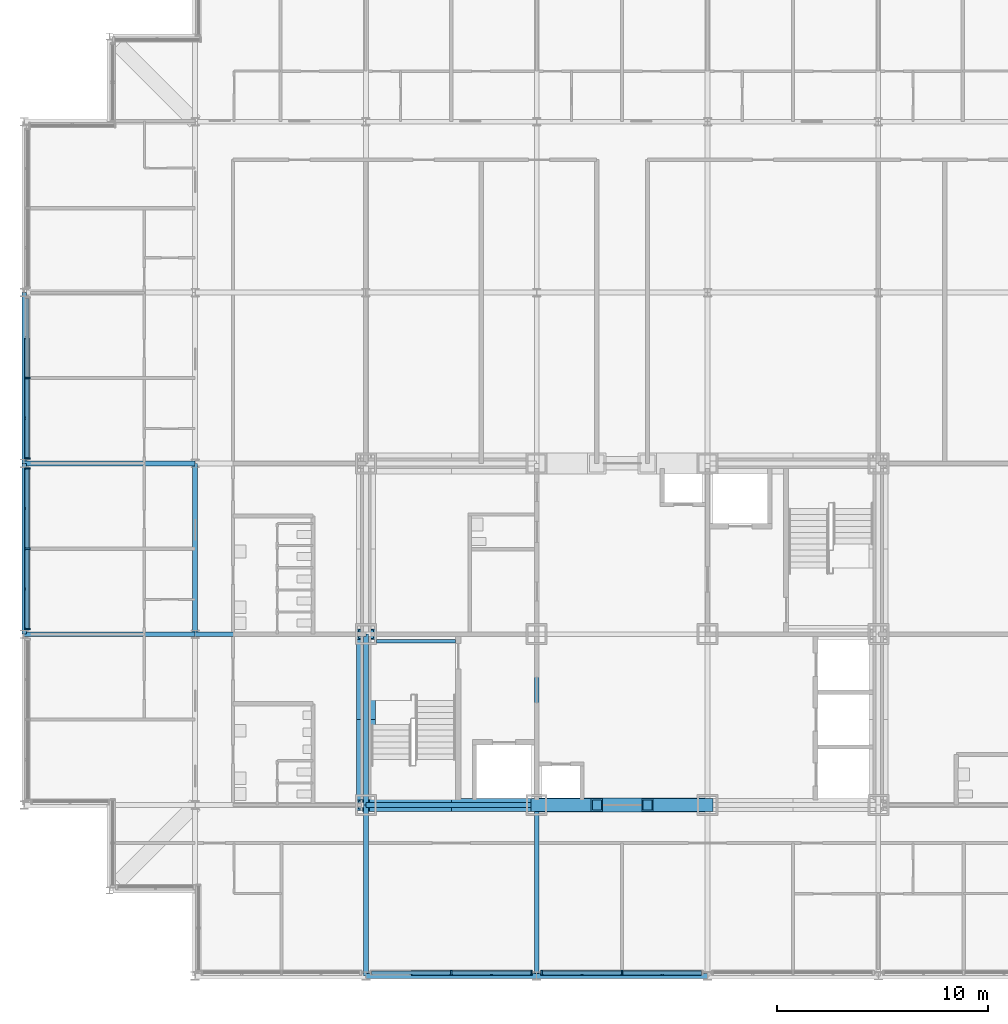
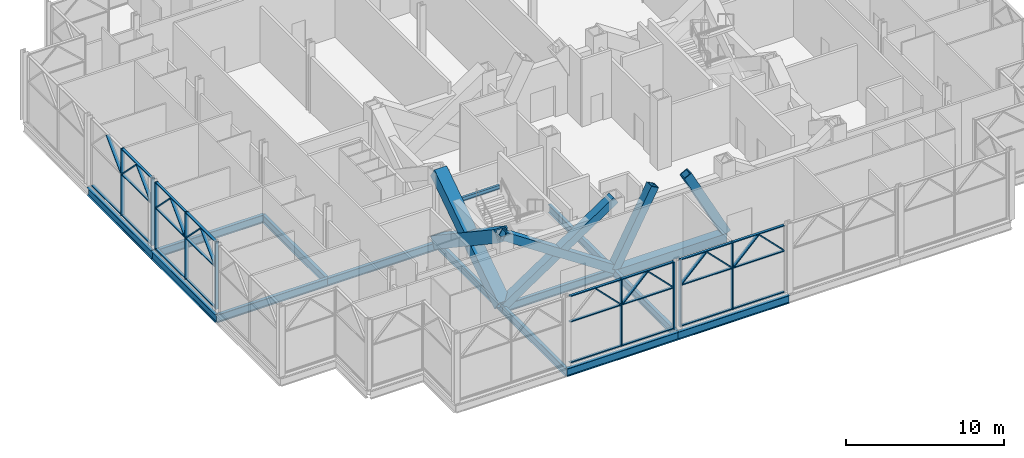
# One storey, part 6 of 26: 51 members, 15 beams, 4 elements without a shape of their own.
"""IFC4 building model written with IfcOpenShell, lengths in metres."""

from ifc_helpers import new_model, si_unit, direction, frame, origin, origin_2d, place, context, subcontext, project, spatial, rectangle, hollow_rectangle, i_section, extrude, material, material_profile, profile_set, type_object, element, aggregate, save


model = new_model("IFC4")

# Units and contexts
model_context = context("Model", 3, precision=1e-05, world=origin(), true_north=direction((0.0, 1.0)))
body_context = subcontext(model_context, "Body", "Model", "MODEL_VIEW")
ifc_project = project(units=[si_unit("LENGTHUNIT", "METRE"), si_unit("AREAUNIT", "SQUARE_METRE"), si_unit("VOLUMEUNIT", "CUBIC_METRE"), si_unit("PLANEANGLEUNIT", "RADIAN"), si_unit("MASSUNIT", "GRAM", prefix="KILO")], contexts=[model_context])

# Site, building, storey
site_placement = place(None, origin())
site = spatial("IfcSite", under=ifc_project, at=site_placement, CompositionType="ELEMENT")
building_placement = place(site_placement, origin())
building = spatial("IfcBuilding", under=site, at=building_placement, Name="Kopane Lantern Tower", CompositionType="ELEMENT")
storey_placement = place(building_placement, frame((0.0, 0.0, 293.10009765625)))
storey = spatial("IfcBuildingStorey", under=building, at=storey_placement, Name="L75", CompositionType="ELEMENT", Elevation=293.10009765625)

# Members
ifc_material_1 = material(Name="Steel S355JR", Category="steel")
ifc_material_profile_1 = material_profile(ifc_material_1, hollow_rectangle(XDim=0.60009765625, YDim=0.60009765625, WallThickness=0.06005859375, at=origin_2d()), Name="BOX 600x600x60")
ifc_profile_set_1 = profile_set([ifc_material_profile_1], Name="Steel S355JR")
member_type_1 = type_object("IfcMemberType", Name="BRACE BOX 600x600x60", PredefinedType="BRACE", material=ifc_profile_set_1)
for number, where, z_axis, x_axis, name in (
    (1, (16.199951171875, 24.300048828125, -0.210205078125), (0.832046436124, 0.0, 0.554705983502), (0.0, 1.0, 0.0), "Core brace L75"),
    (2, (24.300048828125, 24.300048828125, -0.210205078125), (-0.832046436124, 0.0, 0.554705983502), (0.0, -1.0, 0.0), "Core brace L75"),
):
    element("IfcMember", number, at=place(storey_placement, frame(where, z_axis=z_axis, x_axis=x_axis)), inside=storey, type_object=member_type_1, Name=name, PredefinedType="BRACE", context=body_context, shape_type="SweptSolid", body=[
        extrude(hollow_rectangle(XDim=0.60009765625, YDim=0.60009765625, WallThickness=0.06005859375, at=origin_2d()), origin(), (0.0, 0.0, 1.0), 9.735107421875),
    ])
for number, where, z_axis, x_axis, name in (
    (3, (24.300048828125, 24.300048828125, -0.210205078125), (0.466729952651, 0.0, 0.884399882009), (0.0, 1.0, 0.0), "Core brace L75"),
    (4, (32.39990234375, 24.300048828125, -0.210205078125), (-0.466729952651, 0.0, 0.884399882009), (0.0, -1.0, 0.0), "Core brace L75"),
):
    element("IfcMember", number, at=place(storey_placement, frame(where, z_axis=z_axis, x_axis=x_axis)), inside=storey, type_object=member_type_1, Name=name, PredefinedType="BRACE", context=body_context, shape_type="SweptSolid", body=[
        extrude(hollow_rectangle(XDim=0.60009765625, YDim=0.60009765625, WallThickness=0.06005859375, at=origin_2d()), origin(), (0.0, 0.0, 1.0), 6.10595703125),
    ])
ifc_material_2 = material(Name="Steel S355JR", Category="steel")
ifc_material_profile_2 = material_profile(ifc_material_2, hollow_rectangle(XDim=0.89990234375, YDim=0.89990234375, WallThickness=0.090087890625, at=origin_2d()), Name="BOX 900x900x90")
ifc_profile_set_2 = profile_set([ifc_material_profile_2], Name="Steel S355JR")
member_type_2 = type_object("IfcMemberType", Name="BRACE BOX 900x900x90", PredefinedType="BRACE", material=ifc_profile_set_2)
for number, where, z_axis, x_axis, name in (
    (5, (16.199951171875, 24.300048828125, -0.210205078125), (0.0, 0.832038719335, 0.554717558338), (-1.0, 0.0, 0.0), "Core brace L75"),
    (6, (16.199951171875, 32.39990234375, -0.210205078125), (0.0, -0.832038719335, 0.554717558338), (1.0, 0.0, 0.0), "Core brace L75"),
):
    element("IfcMember", number, at=place(storey_placement, frame(where, z_axis=z_axis, x_axis=x_axis)), inside=storey, type_object=member_type_2, Name=name, PredefinedType="BRACE", context=body_context, shape_type="SweptSolid", body=[
        extrude(hollow_rectangle(XDim=0.89990234375, YDim=0.89990234375, WallThickness=0.090087890625, at=origin_2d()), origin(), (0.0, 0.0, 1.0), 9.73486328125),
    ])

# Beams
ifc_material_3 = material(Name="Steel S355JR", Category="steel")
ifc_material_profile_3 = material_profile(ifc_material_3, i_section(OverallWidth=0.22900390625, OverallDepth=0.6123046875, WebThickness=0.011962890625, FlangeThickness=0.01953125, FilletRadius=0.0126953125, at=origin_2d()), Name="UB 610x229x125")
ifc_profile_set_3 = profile_set([ifc_material_profile_3], Name="Steel S355JR")
beam_type_1 = type_object("IfcBeamType", Name="CORE BEAM UB 610x229x125", PredefinedType="BEAM", material=ifc_profile_set_3)
beam_1_placement = place(storey_placement, frame((24.300048828125, 24.300048828125, -0.51611328125), z_axis=(0.0, 1.0, 0.0), x_axis=(-1.0, 0.0, 0.0)))
element("IfcBeam", 7, at=beam_1_placement, inside=storey, type_object=beam_type_1, Name="Core Beam L75", PredefinedType="BEAM", context=body_context, shape_type="SweptSolid", body=[
    extrude(i_section(OverallWidth=0.22900390625, OverallDepth=0.6123046875, WebThickness=0.011962890625, FlangeThickness=0.01953125, FilletRadius=0.0126953125, at=origin_2d()), origin(), (0.0, 0.0, 1.0), 8.099853515625),
])
ifc_material_4 = material(Name="Steel S355JR", Category="steel")
ifc_material_profile_4 = material_profile(ifc_material_4, i_section(OverallWidth=0.22900390625, OverallDepth=0.6123046875, WebThickness=0.011962890625, FlangeThickness=0.01953125, FilletRadius=0.0126953125, at=origin_2d()), Name="UB 610x229x125")
ifc_profile_set_4 = profile_set([ifc_material_profile_4], Name="Steel S355JR")
beam_type_2 = type_object("IfcBeamType", Name="GIRDER UB 610x229x125", PredefinedType="BEAM", material=ifc_profile_set_4)
for number, where, z_axis, x_axis, name in (
    (8, (0.0, 32.39990234375, -0.51611328125), (0.0, 1.0, 0.0), (-1.0, 0.0, 0.0), "Girder L75"),
    (9, (0.0, 32.39990234375, -0.51611328125), (1.0, 0.0, 0.0), (0.0, 1.0, 0.0), "Girder L75"),
    (10, (0.0, 40.5, -0.51611328125), (0.0, 1.0, 0.0), (-1.0, 0.0, 0.0), "Girder L75"),
    (11, (0.0, 40.5, -0.51611328125), (1.0, 0.0, 0.0), (0.0, 1.0, 0.0), "Girder L75"),
    (12, (8.10009765625, 32.39990234375, -0.51611328125), (0.0, 1.0, 0.0), (-1.0, 0.0, 0.0), "Girder L75"),
):
    element("IfcBeam", number, at=place(storey_placement, frame(where, z_axis=z_axis, x_axis=x_axis)), inside=storey, type_object=beam_type_2, Name=name, PredefinedType="BEAM", context=body_context, shape_type="SweptSolid", body=[
        extrude(i_section(OverallWidth=0.22900390625, OverallDepth=0.6123046875, WebThickness=0.011962890625, FlangeThickness=0.01953125, FilletRadius=0.0126953125, at=origin_2d()), origin(), (0.0, 0.0, 1.0), 8.10009765625),
    ])
beam_2_placement = place(storey_placement, frame((8.10009765625, 32.39990234375, -0.51611328125), z_axis=(1.0, 0.0, 0.0), x_axis=(0.0, 1.0, 0.0)))
element("IfcBeam", 13, at=beam_2_placement, inside=storey, type_object=beam_type_2, Name="Girder L75", PredefinedType="BEAM", context=body_context, shape_type="SweptSolid", body=[
    extrude(i_section(OverallWidth=0.22900390625, OverallDepth=0.6123046875, WebThickness=0.011962890625, FlangeThickness=0.01953125, FilletRadius=0.0126953125, at=origin_2d()), origin(), (0.0, 0.0, 1.0), 8.099853515625),
])
for number, where, z_axis, x_axis, name in (
    (14, (16.199951171875, 16.199951171875, -0.51611328125), (0.0, 1.0, 0.0), (-1.0, 0.0, 0.0), "Girder L75"),
    (15, (16.199951171875, 16.199951171875, -0.51611328125), (1.0, 0.0, 0.0), (0.0, 1.0, 0.0), "Girder L75"),
):
    element("IfcBeam", number, at=place(storey_placement, frame(where, z_axis=z_axis, x_axis=x_axis)), inside=storey, type_object=beam_type_2, Name=name, PredefinedType="BEAM", context=body_context, shape_type="SweptSolid", body=[
        extrude(i_section(OverallWidth=0.22900390625, OverallDepth=0.6123046875, WebThickness=0.011962890625, FlangeThickness=0.01953125, FilletRadius=0.0126953125, at=origin_2d()), origin(), (0.0, 0.0, 1.0), 8.10009765625),
    ])
beam_3_placement = place(storey_placement, frame((16.199951171875, 24.300048828125, -0.51611328125), z_axis=(0.0, 1.0, 0.0), x_axis=(-1.0, 0.0, 0.0)))
element("IfcBeam", 16, at=beam_3_placement, inside=storey, type_object=beam_type_2, Name="Girder L75", PredefinedType="BEAM", context=body_context, shape_type="SweptSolid", body=[
    extrude(i_section(OverallWidth=0.22900390625, OverallDepth=0.6123046875, WebThickness=0.011962890625, FlangeThickness=0.01953125, FilletRadius=0.0126953125, at=origin_2d()), origin(), (0.0, 0.0, 1.0), 8.099853515625),
])
for number, where, z_axis, x_axis, name in (
    (17, (16.199951171875, 24.300048828125, -0.51611328125), (1.0, 0.0, 0.0), (0.0, 1.0, 0.0), "Girder L75"),
    (18, (24.300048828125, 16.199951171875, -0.51611328125), (0.0, 1.0, 0.0), (-1.0, 0.0, 0.0), "Girder L75"),
):
    element("IfcBeam", number, at=place(storey_placement, frame(where, z_axis=z_axis, x_axis=x_axis)), inside=storey, type_object=beam_type_2, Name=name, PredefinedType="BEAM", context=body_context, shape_type="SweptSolid", body=[
        extrude(i_section(OverallWidth=0.22900390625, OverallDepth=0.6123046875, WebThickness=0.011962890625, FlangeThickness=0.01953125, FilletRadius=0.0126953125, at=origin_2d()), origin(), (0.0, 0.0, 1.0), 8.10009765625),
    ])
beam_4_placement = place(storey_placement, frame((24.300048828125, 16.199951171875, -0.51611328125), z_axis=(1.0, 0.0, 0.0), x_axis=(0.0, 1.0, 0.0)))
element("IfcBeam", 19, at=beam_4_placement, inside=storey, type_object=beam_type_2, Name="Girder L75", PredefinedType="BEAM", context=body_context, shape_type="SweptSolid", body=[
    extrude(i_section(OverallWidth=0.22900390625, OverallDepth=0.6123046875, WebThickness=0.011962890625, FlangeThickness=0.01953125, FilletRadius=0.0126953125, at=origin_2d()), origin(), (0.0, 0.0, 1.0), 8.099853515625),
])
ifc_material_5 = material(Name="Steel S355JR", Category="steel")
ifc_material_profile_5 = material_profile(ifc_material_5, hollow_rectangle(XDim=0.64990234375, YDim=0.64990234375, WallThickness=0.070068359375, at=origin_2d()), Name="BOX 650x650x70")
ifc_profile_set_5 = profile_set([ifc_material_profile_5], Name="Steel S355JR")
beam_type_3 = type_object("IfcBeamType", Name="LINK BEAM BOX 650x650x70", PredefinedType="BEAM", material=ifc_profile_set_5)
beam_5_placement = place(storey_placement, frame((24.300048828125, 24.300048828125, -0.53515625), z_axis=(1.0, 0.0, 0.0), x_axis=(0.0, 1.0, 0.0)))
element("IfcBeam", 20, at=beam_5_placement, inside=storey, type_object=beam_type_3, Name="Link Beam L75", PredefinedType="BEAM", context=body_context, shape_type="SweptSolid", body=[
    extrude(hollow_rectangle(XDim=0.64990234375, YDim=0.64990234375, WallThickness=0.070068359375, at=origin_2d()), origin(), (0.0, 0.0, 1.0), 8.099853515625),
])

# Curtain wall, members
ifc_material_6 = material(Name="Aluminium and clear glass", Category="aluminium")
curtain_wall_type = type_object("IfcCurtainWallType", Name="CURTAIN WALL CW5 SKY RESTAURANT", PredefinedType="USERDEFINED", material=ifc_material_6)
curtain_wall_1_placement = place(storey_placement, origin())
curtain_wall_1 = element("IfcCurtainWall", 21, at=curtain_wall_1_placement, inside=storey, type_object=curtain_wall_type, Name="Curtain wall CW5 S L75", ObjectType="CURTAIN WALL", PredefinedType="USERDEFINED")
ifc_material_7 = material(Name="Aluminium", Category="aluminium")
ifc_material_profile_6 = material_profile(ifc_material_7, rectangle(XDim=0.074951171875, YDim=0.25, at=origin_2d()), Name="AL 75x250")
ifc_profile_set_6 = profile_set([ifc_material_profile_6], Name="Aluminium")
member_type_3 = type_object("IfcMemberType", Name="MULLION CW5-M 75x250", PredefinedType="MULLION", material=ifc_profile_set_6)
member_1_placement = place(storey_placement, frame((20.25, 16.35009765625, 0.0), z_axis=(0.0, 0.0, 1.0), x_axis=(1.0, 0.0, 0.0)))
member_1 = element("IfcMember", 22, at=member_1_placement, type_object=member_type_3, Name="CW5 mullion 2", PredefinedType="MULLION", context=body_context, shape_type="SweptSolid", body=[
    extrude(rectangle(XDim=0.074951171875, YDim=0.25, at=origin_2d()), origin(), (0.0, 0.0, 1.0), 5.18994140625),
])
member_2_placement = place(storey_placement, frame((24.05810546875, 16.35009765625, 0.0), z_axis=(0.0, 0.0, 1.0), x_axis=(1.0, 0.0, 0.0)))
member_2 = element("IfcMember", 23, at=member_2_placement, type_object=member_type_3, Name="CW5 mullion 3", PredefinedType="MULLION", context=body_context, shape_type="SweptSolid", body=[
    extrude(rectangle(XDim=0.074951171875, YDim=0.25, at=origin_2d()), origin(), (0.0, 0.0, 1.0), 5.18994140625),
])
member_3_placement = place(storey_placement, frame((20.185791015625, 16.35009765625, 3.25390625), z_axis=(-0.7028822434, 0.0, 0.71130622935), x_axis=(0.71130622935, 0.0, 0.7028822434)))
member_3 = element("IfcMember", 24, at=member_3_placement, type_object=member_type_3, Name="CW5 lancet mullion 1R", PredefinedType="MULLION", context=body_context, shape_type="SweptSolid", body=[
    extrude(rectangle(XDim=0.074951171875, YDim=0.25, at=origin_2d()), origin(), (0.0, 0.0, 1.0), 2.579345703125),
])
member_4_placement = place(storey_placement, frame((20.314208984375, 16.35009765625, 3.25390625), z_axis=(0.7028822434, 0.0, 0.71130622935), x_axis=(-0.71130622935, 0.0, 0.7028822434)))
member_4 = element("IfcMember", 25, at=member_4_placement, type_object=member_type_3, Name="CW5 lancet mullion 2L", PredefinedType="MULLION", context=body_context, shape_type="SweptSolid", body=[
    extrude(rectangle(XDim=0.074951171875, YDim=0.25, at=origin_2d()), origin(), (0.0, 0.0, 1.0), 2.579345703125),
])
member_5_placement = place(storey_placement, frame((23.993896484375, 16.35009765625, 3.25390625), z_axis=(-0.702930128182, 0.0, 0.711258908481), x_axis=(0.711258908481, 0.0, 0.702930128182)))
member_5 = element("IfcMember", 26, at=member_5_placement, type_object=member_type_3, Name="CW5 lancet mullion 2R", PredefinedType="MULLION", context=body_context, shape_type="SweptSolid", body=[
    extrude(rectangle(XDim=0.074951171875, YDim=0.25, at=origin_2d()), origin(), (0.0, 0.0, 1.0), 2.57958984375),
])

curtain_wall_2_placement = place(storey_placement, origin())
curtain_wall_2 = element("IfcCurtainWall", 27, at=curtain_wall_2_placement, inside=storey, type_object=curtain_wall_type, Name="Curtain wall CW5 S L75", ObjectType="CURTAIN WALL", PredefinedType="USERDEFINED")
member_6_placement = place(storey_placement, frame((24.5419921875, 16.35009765625, 0.0), z_axis=(0.0, 0.0, 1.0), x_axis=(1.0, 0.0, 0.0)))
member_6 = element("IfcMember", 28, at=member_6_placement, type_object=member_type_3, Name="CW5 mullion 1", PredefinedType="MULLION", context=body_context, shape_type="SweptSolid", body=[
    extrude(rectangle(XDim=0.074951171875, YDim=0.25, at=origin_2d()), origin(), (0.0, 0.0, 1.0), 5.18994140625),
])
member_7_placement = place(storey_placement, frame((28.35009765625, 16.35009765625, 0.0), z_axis=(0.0, 0.0, 1.0), x_axis=(1.0, 0.0, 0.0)))
member_7 = element("IfcMember", 29, at=member_7_placement, type_object=member_type_3, Name="CW5 mullion 2", PredefinedType="MULLION", context=body_context, shape_type="SweptSolid", body=[
    extrude(rectangle(XDim=0.074951171875, YDim=0.25, at=origin_2d()), origin(), (0.0, 0.0, 1.0), 5.18994140625),
])
member_8_placement = place(storey_placement, frame((24.606201171875, 16.35009765625, 3.25390625), z_axis=(0.7028822434, 0.0, 0.71130622935), x_axis=(-0.71130622935, 0.0, 0.7028822434)))
member_8 = element("IfcMember", 30, at=member_8_placement, type_object=member_type_3, Name="CW5 lancet mullion 1L", PredefinedType="MULLION", context=body_context, shape_type="SweptSolid", body=[
    extrude(rectangle(XDim=0.074951171875, YDim=0.25, at=origin_2d()), origin(), (0.0, 0.0, 1.0), 2.579345703125),
])
member_9_placement = place(storey_placement, frame((28.285888671875, 16.35009765625, 3.25390625), z_axis=(-0.702930128182, 0.0, 0.711258908481), x_axis=(0.711258908481, 0.0, 0.702930128182)))
member_9 = element("IfcMember", 31, at=member_9_placement, type_object=member_type_3, Name="CW5 lancet mullion 1R", PredefinedType="MULLION", context=body_context, shape_type="SweptSolid", body=[
    extrude(rectangle(XDim=0.074951171875, YDim=0.25, at=origin_2d()), origin(), (0.0, 0.0, 1.0), 2.57958984375),
])
member_10_placement = place(storey_placement, frame((28.414306640625, 16.35009765625, 3.25390625), z_axis=(0.7028822434, 0.0, 0.71130622935), x_axis=(-0.71130622935, 0.0, 0.7028822434)))
member_10 = element("IfcMember", 32, at=member_10_placement, type_object=member_type_3, Name="CW5 lancet mullion 2L", PredefinedType="MULLION", context=body_context, shape_type="SweptSolid", body=[
    extrude(rectangle(XDim=0.074951171875, YDim=0.25, at=origin_2d()), origin(), (0.0, 0.0, 1.0), 2.579345703125),
])
member_11_placement = place(storey_placement, frame((32.09375, 16.35009765625, 3.25390625), z_axis=(-0.7028822434, 0.0, 0.71130622935), x_axis=(0.71130622935, 0.0, 0.7028822434)))
member_11 = element("IfcMember", 33, at=member_11_placement, type_object=member_type_3, Name="CW5 lancet mullion 2R", PredefinedType="MULLION", context=body_context, shape_type="SweptSolid", body=[
    extrude(rectangle(XDim=0.074951171875, YDim=0.25, at=origin_2d()), origin(), (0.0, 0.0, 1.0), 2.579345703125),
])

curtain_wall_3_placement = place(storey_placement, origin())
curtain_wall_3 = element("IfcCurtainWall", 34, at=curtain_wall_3_placement, inside=storey, type_object=curtain_wall_type, Name="Curtain wall CW5 W L75", ObjectType="CURTAIN WALL", PredefinedType="USERDEFINED")
member_12_placement = place(storey_placement, frame((0.14990234375, 44.550048828125, 0.0), z_axis=(0.0, 0.0, 1.0), x_axis=(0.0, -1.0, 0.0)))
member_12 = element("IfcMember", 35, at=member_12_placement, type_object=member_type_3, Name="CW5 mullion 2", PredefinedType="MULLION", context=body_context, shape_type="SweptSolid", body=[
    extrude(rectangle(XDim=0.074951171875, YDim=0.25, at=origin_2d()), origin(), (0.0, 0.0, 1.0), 5.18994140625),
])
member_13_placement = place(storey_placement, frame((0.14990234375, 40.7392578125, 0.0), z_axis=(0.0, 0.0, 1.0), x_axis=(0.0, -1.0, 0.0)))
member_13 = element("IfcMember", 36, at=member_13_placement, type_object=member_type_3, Name="CW5 mullion 3", PredefinedType="MULLION", context=body_context, shape_type="SweptSolid", body=[
    extrude(rectangle(XDim=0.074951171875, YDim=0.25, at=origin_2d()), origin(), (0.0, 0.0, 1.0), 5.18994140625),
])
member_14_placement = place(storey_placement, frame((0.14990234375, 44.6142578125, 3.25390625), z_axis=(0.0, 0.703169408785, 0.711022350245), x_axis=(0.0, -0.711022350245, 0.703169408785)))
member_14 = element("IfcMember", 37, at=member_14_placement, type_object=member_type_3, Name="CW5 lancet mullion 1R", PredefinedType="MULLION", context=body_context, shape_type="SweptSolid", body=[
    extrude(rectangle(XDim=0.074951171875, YDim=0.25, at=origin_2d()), origin(), (0.0, 0.0, 1.0), 2.580322265625),
])
member_15_placement = place(storey_placement, frame((0.14990234375, 44.48583984375, 3.25390625), z_axis=(0.0, -0.703169408785, 0.711022350245), x_axis=(0.0, 0.711022350245, 0.703169408785)))
member_15 = element("IfcMember", 38, at=member_15_placement, type_object=member_type_3, Name="CW5 lancet mullion 2L", PredefinedType="MULLION", context=body_context, shape_type="SweptSolid", body=[
    extrude(rectangle(XDim=0.074951171875, YDim=0.25, at=origin_2d()), origin(), (0.0, 0.0, 1.0), 2.580322265625),
])
member_16_placement = place(storey_placement, frame((0.14990234375, 40.803466796875, 3.25390625), z_axis=(0.0, 0.703169408785, 0.711022350245), x_axis=(0.0, -0.711022350245, 0.703169408785)))
member_16 = element("IfcMember", 39, at=member_16_placement, type_object=member_type_3, Name="CW5 lancet mullion 2R", PredefinedType="MULLION", context=body_context, shape_type="SweptSolid", body=[
    extrude(rectangle(XDim=0.074951171875, YDim=0.25, at=origin_2d()), origin(), (0.0, 0.0, 1.0), 2.580322265625),
])

curtain_wall_4_placement = place(storey_placement, origin())
curtain_wall_4 = element("IfcCurtainWall", 40, at=curtain_wall_4_placement, inside=storey, type_object=curtain_wall_type, Name="Curtain wall CW5 W L75", ObjectType="CURTAIN WALL", PredefinedType="USERDEFINED")
member_17_placement = place(storey_placement, frame((0.14990234375, 40.2607421875, 0.0), z_axis=(0.0, 0.0, 1.0), x_axis=(0.0, -1.0, 0.0)))
member_17 = element("IfcMember", 41, at=member_17_placement, type_object=member_type_3, Name="CW5 mullion 1", PredefinedType="MULLION", context=body_context, shape_type="SweptSolid", body=[
    extrude(rectangle(XDim=0.074951171875, YDim=0.25, at=origin_2d()), origin(), (0.0, 0.0, 1.0), 5.18994140625),
])
member_18_placement = place(storey_placement, frame((0.14990234375, 36.449951171875, 0.0), z_axis=(0.0, 0.0, 1.0), x_axis=(0.0, -1.0, 0.0)))
member_18 = element("IfcMember", 42, at=member_18_placement, type_object=member_type_3, Name="CW5 mullion 2", PredefinedType="MULLION", context=body_context, shape_type="SweptSolid", body=[
    extrude(rectangle(XDim=0.074951171875, YDim=0.25, at=origin_2d()), origin(), (0.0, 0.0, 1.0), 5.18994140625),
])
member_19_placement = place(storey_placement, frame((0.14990234375, 32.639404296875, 0.0), z_axis=(0.0, 0.0, 1.0), x_axis=(0.0, -1.0, 0.0)))
member_19 = element("IfcMember", 43, at=member_19_placement, type_object=member_type_3, Name="CW5 mullion 3", PredefinedType="MULLION", context=body_context, shape_type="SweptSolid", body=[
    extrude(rectangle(XDim=0.074951171875, YDim=0.25, at=origin_2d()), origin(), (0.0, 0.0, 1.0), 5.18994140625),
])
member_20_placement = place(storey_placement, frame((0.14990234375, 40.196533203125, 3.25390625), z_axis=(0.0, -0.703169408785, 0.711022350245), x_axis=(0.0, 0.711022350245, 0.703169408785)))
member_20 = element("IfcMember", 44, at=member_20_placement, type_object=member_type_3, Name="CW5 lancet mullion 1L", PredefinedType="MULLION", context=body_context, shape_type="SweptSolid", body=[
    extrude(rectangle(XDim=0.074951171875, YDim=0.25, at=origin_2d()), origin(), (0.0, 0.0, 1.0), 2.580322265625),
])
member_21_placement = place(storey_placement, frame((0.14990234375, 36.51416015625, 3.25390625), z_axis=(0.0, 0.703169408785, 0.711022350245), x_axis=(0.0, -0.711022350245, 0.703169408785)))
member_21 = element("IfcMember", 45, at=member_21_placement, type_object=member_type_3, Name="CW5 lancet mullion 1R", PredefinedType="MULLION", context=body_context, shape_type="SweptSolid", body=[
    extrude(rectangle(XDim=0.074951171875, YDim=0.25, at=origin_2d()), origin(), (0.0, 0.0, 1.0), 2.580322265625),
])
member_22_placement = place(storey_placement, frame((0.14990234375, 36.3857421875, 3.25390625), z_axis=(0.0, -0.703169408785, 0.711022350245), x_axis=(0.0, 0.711022350245, 0.703169408785)))
member_22 = element("IfcMember", 46, at=member_22_placement, type_object=member_type_3, Name="CW5 lancet mullion 2L", PredefinedType="MULLION", context=body_context, shape_type="SweptSolid", body=[
    extrude(rectangle(XDim=0.074951171875, YDim=0.25, at=origin_2d()), origin(), (0.0, 0.0, 1.0), 2.580322265625),
])
member_23_placement = place(storey_placement, frame((0.14990234375, 32.70361328125, 3.25390625), z_axis=(0.0, 0.703169408785, 0.711022350245), x_axis=(0.0, -0.711022350245, 0.703169408785)))
member_23 = element("IfcMember", 47, at=member_23_placement, type_object=member_type_3, Name="CW5 lancet mullion 2R", PredefinedType="MULLION", context=body_context, shape_type="SweptSolid", body=[
    extrude(rectangle(XDim=0.074951171875, YDim=0.25, at=origin_2d()), origin(), (0.0, 0.0, 1.0), 2.580322265625),
])

# Beam
ifc_material_8 = material(Name="Steel S355JR", Category="steel")
ifc_material_profile_7 = material_profile(ifc_material_8, i_section(OverallWidth=0.1650390625, OverallDepth=0.303466796875, WebThickness=0.006103515625, FlangeThickness=0.01025390625, FilletRadius=0.0087890625, at=origin_2d()), Name="UB 305x165x40")
ifc_profile_set_7 = profile_set([ifc_material_profile_7], Name="Steel S355JR")
beam_type_4 = type_object("IfcBeamType", Name="STAIR LANDING BEAM UB 305x165x40", PredefinedType="BEAM", material=ifc_profile_set_7)
beam_6_placement = place(storey_placement, frame((16.699951171875, 32.0673828125, 2.685791015625), z_axis=(1.0, 0.0, 0.0), x_axis=(0.0, 1.0, 0.0)))
element("IfcBeam", 48, at=beam_6_placement, inside=storey, type_object=beam_type_4, Name="Stair landing beam ST1 L75", PredefinedType="BEAM", context=body_context, shape_type="SweptSolid", body=[
    extrude(i_section(OverallWidth=0.1650390625, OverallDepth=0.303466796875, WebThickness=0.006103515625, FlangeThickness=0.01025390625, FilletRadius=0.0087890625, at=origin_2d()), origin(), (0.0, 0.0, 1.0), 3.75),
])

# Member
ifc_material_9 = material(Name="Aluminium", Category="aluminium")
ifc_material_profile_8 = material_profile(ifc_material_9, rectangle(XDim=0.175048828125, YDim=0.074951171875, at=origin_2d()), Name="AL 175x75")
ifc_profile_set_8 = profile_set([ifc_material_profile_8], Name="Aluminium")
member_type_4 = type_object("IfcMemberType", Name="TRANSOM CW5-T 75x175", PredefinedType="USERDEFINED", material=ifc_profile_set_8)
member_24_placement = place(storey_placement, frame((16.4794921875, 16.35009765625, 0.037353515625), z_axis=(1.0, 0.0, 0.0), x_axis=(0.0, 1.0, 0.0)))
member_24 = element("IfcMember", 49, at=member_24_placement, type_object=member_type_4, Name="CW5 transom 1.1", ObjectType="TRANSOM", PredefinedType="USERDEFINED", context=body_context, shape_type="SweptSolid", body=[
    extrude(rectangle(XDim=0.175048828125, YDim=0.074951171875, at=origin_2d()), origin(), (0.0, 0.0, 1.0), 3.73291015625),
])

member_25_placement = place(storey_placement, frame((16.4794921875, 16.35009765625, 3.18994140625), z_axis=(1.0, 0.0, 0.0), x_axis=(0.0, 1.0, 0.0)))
member_25 = element("IfcMember", 50, at=member_25_placement, type_object=member_type_4, Name="CW5 transom 1.2", ObjectType="TRANSOM", PredefinedType="USERDEFINED", context=body_context, shape_type="SweptSolid", body=[
    extrude(rectangle(XDim=0.175048828125, YDim=0.074951171875, at=origin_2d()), origin(), (0.0, 0.0, 1.0), 3.73291015625),
])

member_26_placement = place(storey_placement, frame((16.4794921875, 16.35009765625, 5.15234375), z_axis=(1.0, 0.0, 0.0), x_axis=(0.0, 1.0, 0.0)))
member_26 = element("IfcMember", 51, at=member_26_placement, type_object=member_type_4, Name="CW5 transom 1.3", ObjectType="TRANSOM", PredefinedType="USERDEFINED", context=body_context, shape_type="SweptSolid", body=[
    extrude(rectangle(XDim=0.175048828125, YDim=0.074951171875, at=origin_2d()), origin(), (0.0, 0.0, 1.0), 3.73291015625),
])

member_27_placement = place(storey_placement, frame((20.28759765625, 16.35009765625, 0.037353515625), z_axis=(1.0, 0.0, 0.0), x_axis=(0.0, 1.0, 0.0)))
member_27 = element("IfcMember", 52, at=member_27_placement, type_object=member_type_4, Name="CW5 transom 2.1", ObjectType="TRANSOM", PredefinedType="USERDEFINED", context=body_context, shape_type="SweptSolid", body=[
    extrude(rectangle(XDim=0.175048828125, YDim=0.074951171875, at=origin_2d()), origin(), (0.0, 0.0, 1.0), 3.73291015625),
])

member_28_placement = place(storey_placement, frame((20.28759765625, 16.35009765625, 3.18994140625), z_axis=(1.0, 0.0, 0.0), x_axis=(0.0, 1.0, 0.0)))
member_28 = element("IfcMember", 53, at=member_28_placement, type_object=member_type_4, Name="CW5 transom 2.2", ObjectType="TRANSOM", PredefinedType="USERDEFINED", context=body_context, shape_type="SweptSolid", body=[
    extrude(rectangle(XDim=0.175048828125, YDim=0.074951171875, at=origin_2d()), origin(), (0.0, 0.0, 1.0), 3.73291015625),
])

member_29_placement = place(storey_placement, frame((20.28759765625, 16.35009765625, 5.15234375), z_axis=(1.0, 0.0, 0.0), x_axis=(0.0, 1.0, 0.0)))
member_29 = element("IfcMember", 54, at=member_29_placement, type_object=member_type_4, Name="CW5 transom 2.3", ObjectType="TRANSOM", PredefinedType="USERDEFINED", context=body_context, shape_type="SweptSolid", body=[
    extrude(rectangle(XDim=0.175048828125, YDim=0.074951171875, at=origin_2d()), origin(), (0.0, 0.0, 1.0), 3.73291015625),
])

aggregate(curtain_wall_1, [member_1, member_2, member_24, member_25, member_26, member_27, member_28, member_29, member_3, member_4, member_5])

member_30_placement = place(storey_placement, frame((24.57958984375, 16.35009765625, 0.037353515625), z_axis=(1.0, 0.0, 0.0), x_axis=(0.0, 1.0, 0.0)))
member_30 = element("IfcMember", 55, at=member_30_placement, type_object=member_type_4, Name="CW5 transom 1.1", ObjectType="TRANSOM", PredefinedType="USERDEFINED", context=body_context, shape_type="SweptSolid", body=[
    extrude(rectangle(XDim=0.175048828125, YDim=0.074951171875, at=origin_2d()), origin(), (0.0, 0.0, 1.0), 3.73291015625),
])

member_31_placement = place(storey_placement, frame((24.57958984375, 16.35009765625, 3.18994140625), z_axis=(1.0, 0.0, 0.0), x_axis=(0.0, 1.0, 0.0)))
member_31 = element("IfcMember", 56, at=member_31_placement, type_object=member_type_4, Name="CW5 transom 1.2", ObjectType="TRANSOM", PredefinedType="USERDEFINED", context=body_context, shape_type="SweptSolid", body=[
    extrude(rectangle(XDim=0.175048828125, YDim=0.074951171875, at=origin_2d()), origin(), (0.0, 0.0, 1.0), 3.73291015625),
])

member_32_placement = place(storey_placement, frame((24.57958984375, 16.35009765625, 5.15234375), z_axis=(1.0, 0.0, 0.0), x_axis=(0.0, 1.0, 0.0)))
member_32 = element("IfcMember", 57, at=member_32_placement, type_object=member_type_4, Name="CW5 transom 1.3", ObjectType="TRANSOM", PredefinedType="USERDEFINED", context=body_context, shape_type="SweptSolid", body=[
    extrude(rectangle(XDim=0.175048828125, YDim=0.074951171875, at=origin_2d()), origin(), (0.0, 0.0, 1.0), 3.73291015625),
])

member_33_placement = place(storey_placement, frame((28.387451171875, 16.35009765625, 0.037353515625), z_axis=(1.0, 0.0, 0.0), x_axis=(0.0, 1.0, 0.0)))
member_33 = element("IfcMember", 58, at=member_33_placement, type_object=member_type_4, Name="CW5 transom 2.1", ObjectType="TRANSOM", PredefinedType="USERDEFINED", context=body_context, shape_type="SweptSolid", body=[
    extrude(rectangle(XDim=0.175048828125, YDim=0.074951171875, at=origin_2d()), origin(), (0.0, 0.0, 1.0), 3.733154296875),
])

member_34_placement = place(storey_placement, frame((28.387451171875, 16.35009765625, 3.18994140625), z_axis=(1.0, 0.0, 0.0), x_axis=(0.0, 1.0, 0.0)))
member_34 = element("IfcMember", 59, at=member_34_placement, type_object=member_type_4, Name="CW5 transom 2.2", ObjectType="TRANSOM", PredefinedType="USERDEFINED", context=body_context, shape_type="SweptSolid", body=[
    extrude(rectangle(XDim=0.175048828125, YDim=0.074951171875, at=origin_2d()), origin(), (0.0, 0.0, 1.0), 3.733154296875),
])

member_35_placement = place(storey_placement, frame((28.387451171875, 16.35009765625, 5.15234375), z_axis=(1.0, 0.0, 0.0), x_axis=(0.0, 1.0, 0.0)))
member_35 = element("IfcMember", 60, at=member_35_placement, type_object=member_type_4, Name="CW5 transom 2.3", ObjectType="TRANSOM", PredefinedType="USERDEFINED", context=body_context, shape_type="SweptSolid", body=[
    extrude(rectangle(XDim=0.175048828125, YDim=0.074951171875, at=origin_2d()), origin(), (0.0, 0.0, 1.0), 3.733154296875),
])

aggregate(curtain_wall_2, [member_6, member_7, member_30, member_31, member_32, member_33, member_34, member_35, member_8, member_9, member_10, member_11])

member_36_placement = place(storey_placement, frame((0.14990234375, 48.3232421875, 0.037353515625), z_axis=(0.0, -1.0, 0.0), x_axis=(1.0, 0.0, 0.0)))
member_36 = element("IfcMember", 61, at=member_36_placement, type_object=member_type_4, Name="CW5 transom 1.1", ObjectType="TRANSOM", PredefinedType="USERDEFINED", context=body_context, shape_type="SweptSolid", body=[
    extrude(rectangle(XDim=0.175048828125, YDim=0.074951171875, at=origin_2d()), origin(), (0.0, 0.0, 1.0), 3.73583984375),
])

member_37_placement = place(storey_placement, frame((0.14990234375, 44.512451171875, 0.037353515625), z_axis=(0.0, -1.0, 0.0), x_axis=(1.0, 0.0, 0.0)))
member_37 = element("IfcMember", 62, at=member_37_placement, type_object=member_type_4, Name="CW5 transom 2.1", ObjectType="TRANSOM", PredefinedType="USERDEFINED", context=body_context, shape_type="SweptSolid", body=[
    extrude(rectangle(XDim=0.175048828125, YDim=0.074951171875, at=origin_2d()), origin(), (0.0, 0.0, 1.0), 3.735595703125),
])

member_38_placement = place(storey_placement, frame((0.14990234375, 44.512451171875, 3.18994140625), z_axis=(0.0, -1.0, 0.0), x_axis=(1.0, 0.0, 0.0)))
member_38 = element("IfcMember", 63, at=member_38_placement, type_object=member_type_4, Name="CW5 transom 2.2", ObjectType="TRANSOM", PredefinedType="USERDEFINED", context=body_context, shape_type="SweptSolid", body=[
    extrude(rectangle(XDim=0.175048828125, YDim=0.074951171875, at=origin_2d()), origin(), (0.0, 0.0, 1.0), 3.735595703125),
])

member_39_placement = place(storey_placement, frame((0.14990234375, 44.512451171875, 5.15234375), z_axis=(0.0, -1.0, 0.0), x_axis=(1.0, 0.0, 0.0)))
member_39 = element("IfcMember", 64, at=member_39_placement, type_object=member_type_4, Name="CW5 transom 2.3", ObjectType="TRANSOM", PredefinedType="USERDEFINED", context=body_context, shape_type="SweptSolid", body=[
    extrude(rectangle(XDim=0.175048828125, YDim=0.074951171875, at=origin_2d()), origin(), (0.0, 0.0, 1.0), 3.735595703125),
])

aggregate(curtain_wall_3, [member_12, member_13, member_36, member_37, member_38, member_39, member_14, member_15, member_16])

member_40_placement = place(storey_placement, frame((0.14990234375, 40.22314453125, 0.037353515625), z_axis=(0.0, -1.0, 0.0), x_axis=(1.0, 0.0, 0.0)))
member_40 = element("IfcMember", 65, at=member_40_placement, type_object=member_type_4, Name="CW5 transom 1.1", ObjectType="TRANSOM", PredefinedType="USERDEFINED", context=body_context, shape_type="SweptSolid", body=[
    extrude(rectangle(XDim=0.175048828125, YDim=0.074951171875, at=origin_2d()), origin(), (0.0, 0.0, 1.0), 3.735595703125),
])

member_41_placement = place(storey_placement, frame((0.14990234375, 40.22314453125, 3.18994140625), z_axis=(0.0, -1.0, 0.0), x_axis=(1.0, 0.0, 0.0)))
member_41 = element("IfcMember", 66, at=member_41_placement, type_object=member_type_4, Name="CW5 transom 1.2", ObjectType="TRANSOM", PredefinedType="USERDEFINED", context=body_context, shape_type="SweptSolid", body=[
    extrude(rectangle(XDim=0.175048828125, YDim=0.074951171875, at=origin_2d()), origin(), (0.0, 0.0, 1.0), 3.735595703125),
])

member_42_placement = place(storey_placement, frame((0.14990234375, 40.22314453125, 5.15234375), z_axis=(0.0, -1.0, 0.0), x_axis=(1.0, 0.0, 0.0)))
member_42 = element("IfcMember", 67, at=member_42_placement, type_object=member_type_4, Name="CW5 transom 1.3", ObjectType="TRANSOM", PredefinedType="USERDEFINED", context=body_context, shape_type="SweptSolid", body=[
    extrude(rectangle(XDim=0.175048828125, YDim=0.074951171875, at=origin_2d()), origin(), (0.0, 0.0, 1.0), 3.735595703125),
])

member_43_placement = place(storey_placement, frame((0.14990234375, 36.41259765625, 0.037353515625), z_axis=(0.0, -1.0, 0.0), x_axis=(1.0, 0.0, 0.0)))
member_43 = element("IfcMember", 68, at=member_43_placement, type_object=member_type_4, Name="CW5 transom 2.1", ObjectType="TRANSOM", PredefinedType="USERDEFINED", context=body_context, shape_type="SweptSolid", body=[
    extrude(rectangle(XDim=0.175048828125, YDim=0.074951171875, at=origin_2d()), origin(), (0.0, 0.0, 1.0), 3.73583984375),
])

member_44_placement = place(storey_placement, frame((0.14990234375, 36.41259765625, 3.18994140625), z_axis=(0.0, -1.0, 0.0), x_axis=(1.0, 0.0, 0.0)))
member_44 = element("IfcMember", 69, at=member_44_placement, type_object=member_type_4, Name="CW5 transom 2.2", ObjectType="TRANSOM", PredefinedType="USERDEFINED", context=body_context, shape_type="SweptSolid", body=[
    extrude(rectangle(XDim=0.175048828125, YDim=0.074951171875, at=origin_2d()), origin(), (0.0, 0.0, 1.0), 3.73583984375),
])

member_45_placement = place(storey_placement, frame((0.14990234375, 36.41259765625, 5.15234375), z_axis=(0.0, -1.0, 0.0), x_axis=(1.0, 0.0, 0.0)))
member_45 = element("IfcMember", 70, at=member_45_placement, type_object=member_type_4, Name="CW5 transom 2.3", ObjectType="TRANSOM", PredefinedType="USERDEFINED", context=body_context, shape_type="SweptSolid", body=[
    extrude(rectangle(XDim=0.175048828125, YDim=0.074951171875, at=origin_2d()), origin(), (0.0, 0.0, 1.0), 3.73583984375),
])

aggregate(curtain_wall_4, [member_17, member_18, member_19, member_40, member_41, member_42, member_43, member_44, member_45, member_20, member_21, member_22, member_23])

save(model, "model.ifc")
